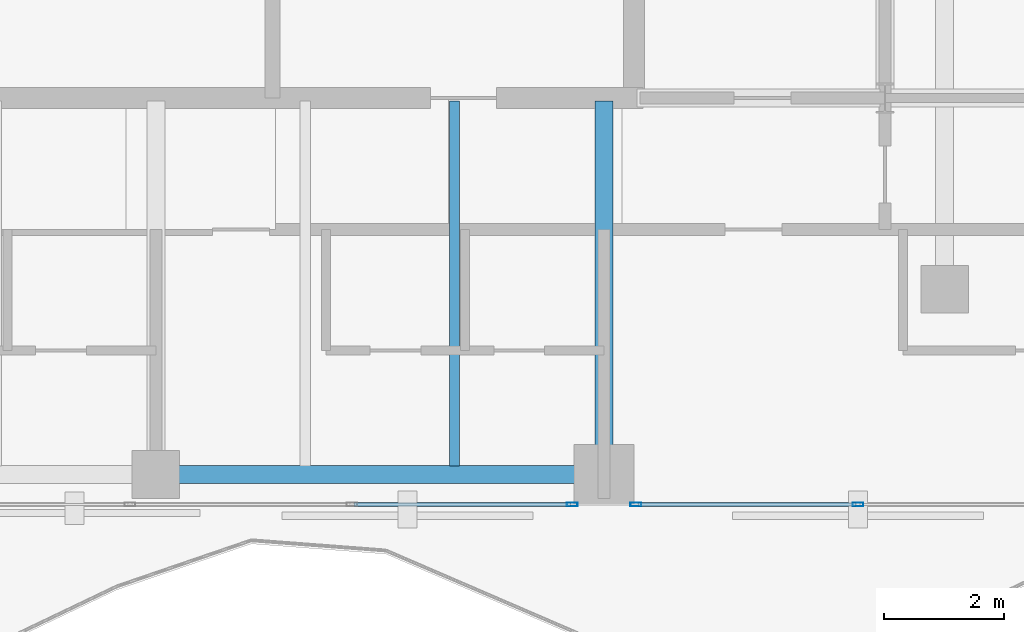
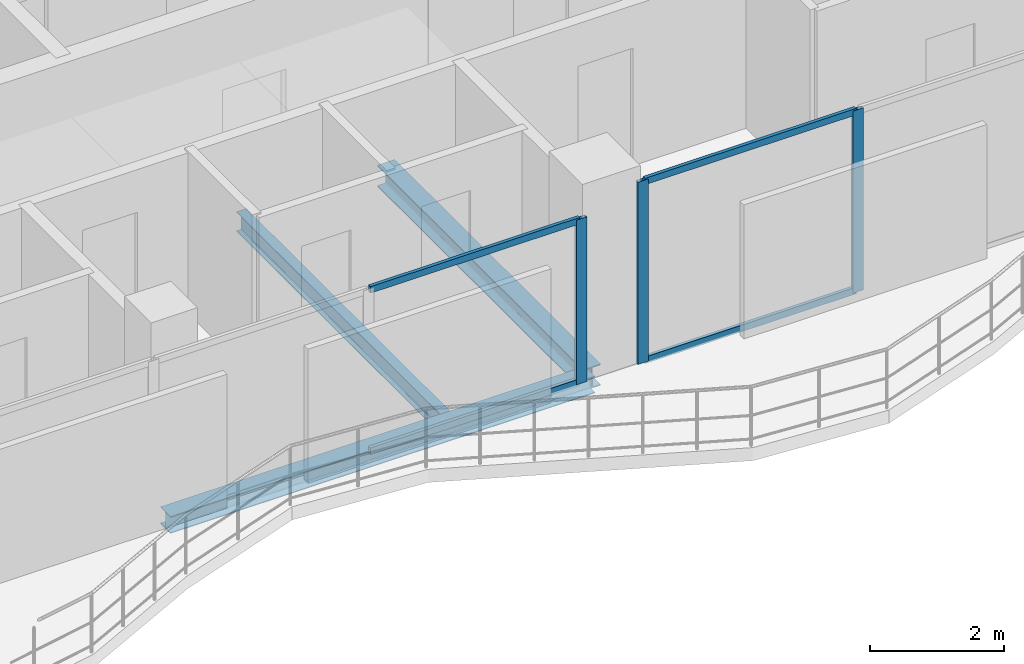
# One storey, part 12 of 24: 7 members, 3 beams, 2 elements without a shape of their own.
"""IFC4 building model written with IfcOpenShell, lengths in metres."""

from ifc_helpers import new_model, si_unit, direction, frame, origin, origin_2d, place, context, subcontext, project, spatial, hollow_rectangle, i_section, extrude, material, layer, layer_set, material_profile, profile_set, type_object, element, aggregate, save


model = new_model("IFC4")

# Units and contexts
model_context = context("Model", 3, precision=1e-05, world=origin(), true_north=direction((0.0, 1.0)))
body_context = subcontext(model_context, "Body", "Model", "MODEL_VIEW")
ifc_project = project(units=[si_unit("LENGTHUNIT", "METRE"), si_unit("AREAUNIT", "SQUARE_METRE"), si_unit("VOLUMEUNIT", "CUBIC_METRE"), si_unit("PLANEANGLEUNIT", "RADIAN"), si_unit("MASSUNIT", "GRAM", prefix="KILO")], contexts=[model_context])

# Site, building, storey
site_placement = place(None, origin())
site = spatial("IfcSite", under=ifc_project, at=site_placement, CompositionType="ELEMENT")
building_placement = place(site_placement, origin())
building = spatial("IfcBuilding", under=site, at=building_placement, Name="Catumbela Crestline Tower", CompositionType="ELEMENT")
storey_placement = place(building_placement, frame((0.0, 0.0, 157.8)))
storey = spatial("IfcBuildingStorey", under=building, at=storey_placement, Name="L40", CompositionType="ELEMENT", Elevation=157.8)

# Beams
ifc_material_1 = material(Name="Structural steel S355J2", Category="steel")
ifc_material_profile_1 = material_profile(ifc_material_1, i_section(OverallWidth=0.3, OverallDepth=0.39, WebThickness=0.011, FlangeThickness=0.019, FilletRadius=0.027, at=origin_2d()), Name="HEA 400")
ifc_profile_set_1 = profile_set([ifc_material_profile_1], Name="Structural steel S355J2")
beam_type_1 = type_object("IfcBeamType", Name="BG-HEA400", PredefinedType="BEAM", material=ifc_profile_set_1)
beam_1_placement = place(storey_placement, frame((39.5, 24.58, -0.455), z_axis=(0.0, 1.0, 0.0), x_axis=(-1.0, 0.0, 0.0)))
element("IfcBeam", 1, at=beam_1_placement, inside=storey, type_object=beam_type_1, Name="L40 Beam BM-L40-SNS20", PredefinedType="BEAM", context=body_context, shape_type="SweptSolid", body=[
    extrude(i_section(OverallWidth=0.3, OverallDepth=0.39, WebThickness=0.011, FlangeThickness=0.019, FilletRadius=0.027, at=origin_2d()), origin(), (0.0, 0.0, 1.0), 6.17),
])
ifc_material_profile_2 = material_profile(ifc_material_1, i_section(OverallWidth=0.17, OverallDepth=0.36, WebThickness=0.008, FlangeThickness=0.0127, FilletRadius=0.018, at=origin_2d()), Name="IPE 360")
ifc_profile_set_2 = profile_set([ifc_material_profile_2], Name="Structural steel S355J2")
beam_type_2 = type_object("IfcBeamType", Name="BJ-IPE360", PredefinedType="JOIST", material=ifc_profile_set_2)
beam_2_placement = place(storey_placement, frame((37.0, 24.647, -0.44), z_axis=(0.0, 1.0, 0.0), x_axis=(-1.0, 0.0, 0.0)))
element("IfcBeam", 2, at=beam_2_placement, inside=storey, type_object=beam_type_2, Name="L40 Joist JS-L40-SP31", PredefinedType="JOIST", context=body_context, shape_type="SweptSolid", body=[
    extrude(i_section(OverallWidth=0.17, OverallDepth=0.36, WebThickness=0.008, FlangeThickness=0.0127, FilletRadius=0.018, at=origin_2d()), origin(), (0.0, 0.0, 1.0), 6.103),
])

# Curtain wall, member
ifc_material_2 = material(Name="Aluminium alloy AW-6060-T66", Category="aluminium")
ifc_layer = layer(ifc_material_2, 0.18, Name="Aluminium alloy AW-6060-T66")
ifc_layer_set = layer_set([ifc_layer], Name="Aluminium alloy AW-6060-T66")
curtain_wall_type = type_object("IfcCurtainWallType", Name="CWU-Z3", PredefinedType="USERDEFINED", material=ifc_layer_set)
curtain_wall_1_placement = place(storey_placement, origin())
curtain_wall_1 = element("IfcCurtainWall", 3, at=curtain_wall_1_placement, inside=storey, type_object=curtain_wall_type, Name="L40 Unitised Curtain Wall CW-L40-E3S2", ObjectType="UNITISED", PredefinedType="USERDEFINED")
ifc_material_profile_3 = material_profile(ifc_material_2, hollow_rectangle(XDim=0.065, YDim=0.18, WallThickness=0.004, at=origin_2d()), Name="ALU 180x65x4")
ifc_profile_set_3 = profile_set([ifc_material_profile_3], Name="Aluminium alloy AW-6060-T66")
member_type_1 = type_object("IfcMemberType", Name="MUL-180X65", PredefinedType="MULLION", material=ifc_profile_set_3)
member_1_placement = place(storey_placement, frame((38.9675, 24.0, 0.0), z_axis=(0.0, 0.0, 1.0), x_axis=(0.0, 1.0, 0.0)))
member_1 = element("IfcMember", 4, at=member_1_placement, type_object=member_type_1, Name="CWU-Z3 mullion 4", PredefinedType="MULLION", context=body_context, shape_type="SweptSolid", body=[
    extrude(hollow_rectangle(XDim=0.065, YDim=0.18, WallThickness=0.004, at=origin_2d()), origin(), (0.0, 0.0, 1.0), 3.01),
])

# Curtain wall, members
curtain_wall_2_placement = place(storey_placement, origin())
curtain_wall_2 = element("IfcCurtainWall", 5, at=curtain_wall_2_placement, inside=storey, type_object=curtain_wall_type, Name="L40 Unitised Curtain Wall CW-L40-E3S3", ObjectType="UNITISED", PredefinedType="USERDEFINED")
member_2_placement = place(storey_placement, frame((40.0325, 24.0, 0.0), z_axis=(0.0, 0.0, 1.0), x_axis=(0.0, 1.0, 0.0)))
member_2 = element("IfcMember", 6, at=member_2_placement, type_object=member_type_1, Name="CWU-Z3 mullion 1", PredefinedType="MULLION", context=body_context, shape_type="SweptSolid", body=[
    extrude(hollow_rectangle(XDim=0.065, YDim=0.18, WallThickness=0.004, at=origin_2d()), origin(), (0.0, 0.0, 1.0), 3.33),
])
member_3_placement = place(storey_placement, frame((43.75, 24.0, 0.0), z_axis=(0.0, 0.0, 1.0), x_axis=(0.0, 1.0, 0.0)))
member_3 = element("IfcMember", 7, at=member_3_placement, type_object=member_type_1, Name="CWU-Z3 mullion 2", PredefinedType="MULLION", context=body_context, shape_type="SweptSolid", body=[
    extrude(hollow_rectangle(XDim=0.065, YDim=0.18, WallThickness=0.004, at=origin_2d()), origin(), (0.0, 0.0, 1.0), 3.33),
])

# Beam
ifc_material_profile_4 = material_profile(ifc_material_1, i_section(OverallWidth=0.3, OverallDepth=0.31, WebThickness=0.009, FlangeThickness=0.0155, FilletRadius=0.027, at=origin_2d()), Name="HEA 320")
ifc_profile_set_4 = profile_set([ifc_material_profile_4], Name="Structural steel S355J2")
beam_type_3 = type_object("IfcBeamType", Name="BS-HEA320", PredefinedType="SPANDREL", material=ifc_profile_set_4)
beam_3_placement = place(storey_placement, frame((32.08, 24.5, -0.415), z_axis=(1.0, 0.0, 0.0), x_axis=(0.0, 1.0, 0.0)))
element("IfcBeam", 8, at=beam_3_placement, inside=storey, type_object=beam_type_3, Name="L40 Spandrel SP-L40-S05", PredefinedType="SPANDREL", context=body_context, shape_type="SweptSolid", body=[
    extrude(i_section(OverallWidth=0.3, OverallDepth=0.31, WebThickness=0.009, FlangeThickness=0.0155, FilletRadius=0.027, at=origin_2d()), origin(), (0.0, 0.0, 1.0), 7.34),
])

# Member
ifc_material_profile_5 = material_profile(ifc_material_2, hollow_rectangle(XDim=0.06, YDim=0.12, WallThickness=0.0035, at=origin_2d()), Name="ALU 120x60x3.5")
ifc_profile_set_5 = profile_set([ifc_material_profile_5], Name="Aluminium alloy AW-6060-T66")
member_type_2 = type_object("IfcMemberType", Name="TRN-120X60", PredefinedType="USERDEFINED", material=ifc_profile_set_5)
member_4_placement = place(storey_placement, frame((35.3158, 24.0, 0.03), z_axis=(1.0, 0.0, 0.0), x_axis=(0.0, 1.0, 0.0)))
member_4 = element("IfcMember", 9, at=member_4_placement, type_object=member_type_2, Name="CWU-Z3 transom 3.1", ObjectType="TRANSOM", PredefinedType="USERDEFINED", context=body_context, shape_type="SweptSolid", body=[
    extrude(hollow_rectangle(XDim=0.06, YDim=0.12, WallThickness=0.0035, at=origin_2d()), origin(), (0.0, 0.0, 1.0), 3.6192),
])

member_5_placement = place(storey_placement, frame((35.3158, 24.0, 2.98), z_axis=(1.0, 0.0, 0.0), x_axis=(0.0, 1.0, 0.0)))
member_5 = element("IfcMember", 10, at=member_5_placement, type_object=member_type_2, Name="CWU-Z3 transom 3.2", ObjectType="TRANSOM", PredefinedType="USERDEFINED", context=body_context, shape_type="SweptSolid", body=[
    extrude(hollow_rectangle(XDim=0.06, YDim=0.12, WallThickness=0.0035, at=origin_2d()), origin(), (0.0, 0.0, 1.0), 3.6192),
])

aggregate(curtain_wall_1, [member_1, member_4, member_5])

member_6_placement = place(storey_placement, frame((40.065, 24.0, 0.03), z_axis=(1.0, 0.0, 0.0), x_axis=(0.0, 1.0, 0.0)))
member_6 = element("IfcMember", 11, at=member_6_placement, type_object=member_type_2, Name="CWU-Z3 transom 1.1", ObjectType="TRANSOM", PredefinedType="USERDEFINED", context=body_context, shape_type="SweptSolid", body=[
    extrude(hollow_rectangle(XDim=0.06, YDim=0.12, WallThickness=0.0035, at=origin_2d()), origin(), (0.0, 0.0, 1.0), 3.6525),
])

member_7_placement = place(storey_placement, frame((40.065, 24.0, 3.3), z_axis=(1.0, 0.0, 0.0), x_axis=(0.0, 1.0, 0.0)))
member_7 = element("IfcMember", 12, at=member_7_placement, type_object=member_type_2, Name="CWU-Z3 transom 1.2", ObjectType="TRANSOM", PredefinedType="USERDEFINED", context=body_context, shape_type="SweptSolid", body=[
    extrude(hollow_rectangle(XDim=0.06, YDim=0.12, WallThickness=0.0035, at=origin_2d()), origin(), (0.0, 0.0, 1.0), 3.6525),
])

aggregate(curtain_wall_2, [member_2, member_3, member_6, member_7])

save(model, "model.ifc")
